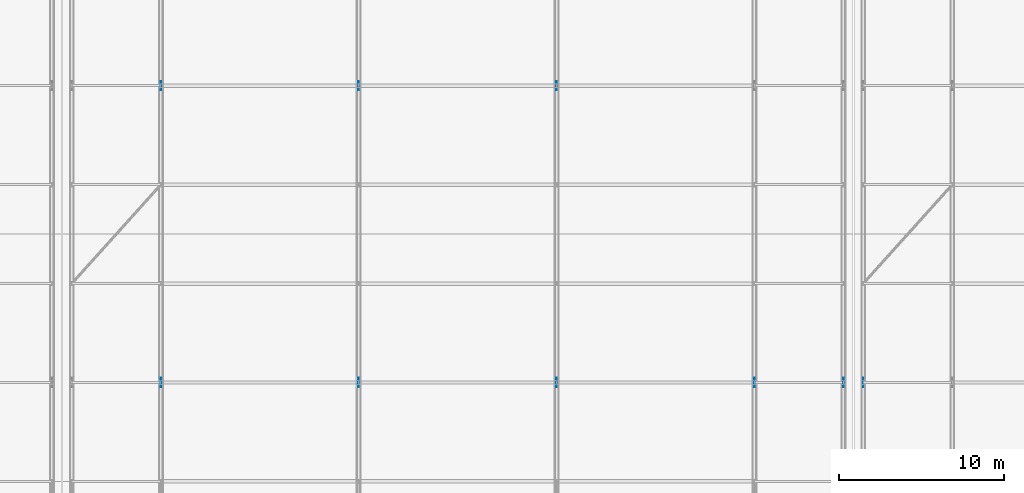
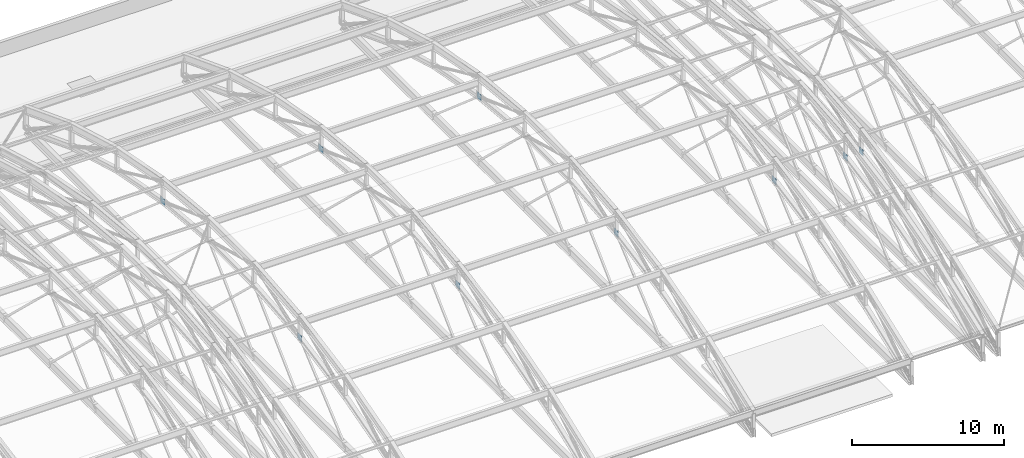
# One storey, part 187 of 204: 9 plates.
"""IFC4 building model written with IfcOpenShell, lengths in metres."""

from ifc_helpers import new_model, si_unit, direction, frame, origin, origin_2d, place, context, subcontext, project, spatial, rectangle, extrude, material, layer, layer_set, type_object, element, save


model = new_model("IFC4")

# Units and contexts
model_context = context("Model", 3, precision=1e-05, world=origin(), true_north=direction((0.0, 1.0)))
body_context = subcontext(model_context, "Body", "Model", "MODEL_VIEW")
ifc_project = project(units=[si_unit("LENGTHUNIT", "METRE"), si_unit("AREAUNIT", "SQUARE_METRE"), si_unit("VOLUMEUNIT", "CUBIC_METRE"), si_unit("PLANEANGLEUNIT", "RADIAN"), si_unit("MASSUNIT", "GRAM", prefix="KILO")], contexts=[model_context])

# Site, building, storey
site_placement = place(None, origin())
site = spatial("IfcSite", under=ifc_project, at=site_placement, CompositionType="ELEMENT")
building_placement = place(site_placement, origin())
building = spatial("IfcBuilding", under=site, at=building_placement, Name="Zilviju Railside Exhibition Hall", CompositionType="ELEMENT")
storey_placement = place(building_placement, frame((0.0, 0.0, 21.0)))
storey = spatial("IfcBuildingStorey", under=building, at=storey_placement, Name="RF", CompositionType="ELEMENT", Elevation=21.0)

# Plates
ifc_material = material(Name="Steel S355ML", Category="steel")
ifc_layer_1 = layer(ifc_material, 0.02392578125)
ifc_layer_set_1 = layer_set([ifc_layer_1], Name="Steel S355ML")
plate_type_1 = type_object("IfcPlateType", Name="PLATE-GP-24", PredefinedType="SHEET", material=ifc_layer_set_1)
for number, where, z_axis, x_axis, name in (
    (1, (132.0, 102.0, 1.3056640625), (0.0, 0.0, 1.0), (1.0, 0.0, 0.0), "V2 Truss Node Gusset Plate X=132.0 N3"),
    (2, (144.0, 102.0, 1.3056640625), (0.0, 0.0, 1.0), (1.0, 0.0, 0.0), "V2 Truss Node Gusset Plate X=144.0 N3"),
    (3, (156.0, 102.0, 1.3056640625), (0.0, 0.0, 1.0), (1.0, 0.0, 0.0), "V2 Truss Node Gusset Plate X=156.0 N3"),
    (4, (168.0, 102.0, 1.3056640625), (0.0, 0.0, 1.0), (1.0, 0.0, 0.0), "V2 Truss Node Gusset Plate X=168.0 N3"),
    (5, (173.39990234375, 102.0, 1.3056640625), (0.0, 0.0, 1.0), (1.0, 0.0, 0.0), "V2 Truss Node Gusset Plate X=173.4 N3"),
    (6, (174.60009765625, 102.0, 1.3056640625), (0.0, 0.0, 1.0), (1.0, 0.0, 0.0), "V2 Truss Node Gusset Plate X=174.6 N3"),
):
    element("IfcPlate", number, at=place(storey_placement, frame(where, z_axis=z_axis, x_axis=x_axis)), inside=storey, type_object=plate_type_1, Name=name, PredefinedType="SHEET", context=body_context, shape_type="SweptSolid", body=[
        extrude(rectangle(XDim=0.02392578125, YDim=0.550048828125, at=origin_2d()), origin(), (0.0, 0.0, 1.0), 0.5),
    ])
ifc_layer_2 = layer(ifc_material, 0.028076171875)
ifc_layer_set_2 = layer_set([ifc_layer_2], Name="Steel S355ML")
plate_type_2 = type_object("IfcPlateType", Name="PLATE-GP-28", PredefinedType="SHEET", material=ifc_layer_set_2)
for number, where, z_axis, x_axis, name in (
    (7, (132.0, 120.0, 1.3056640625), (0.0, 0.0, 1.0), (1.0, 0.0, 0.0), "V2 Truss Node Gusset Plate X=132.0 N6"),
    (8, (144.0, 120.0, 1.3056640625), (0.0, 0.0, 1.0), (1.0, 0.0, 0.0), "V2 Truss Node Gusset Plate X=144.0 N6"),
    (9, (156.0, 120.0, 1.3056640625), (0.0, 0.0, 1.0), (1.0, 0.0, 0.0), "V2 Truss Node Gusset Plate X=156.0 N6"),
):
    element("IfcPlate", number, at=place(storey_placement, frame(where, z_axis=z_axis, x_axis=x_axis)), inside=storey, type_object=plate_type_2, Name=name, PredefinedType="SHEET", context=body_context, shape_type="SweptSolid", body=[
        extrude(rectangle(XDim=0.028076171875, YDim=0.550048828125, at=origin_2d()), origin(), (0.0, 0.0, 1.0), 0.5),
    ])

save(model, "model.ifc")
